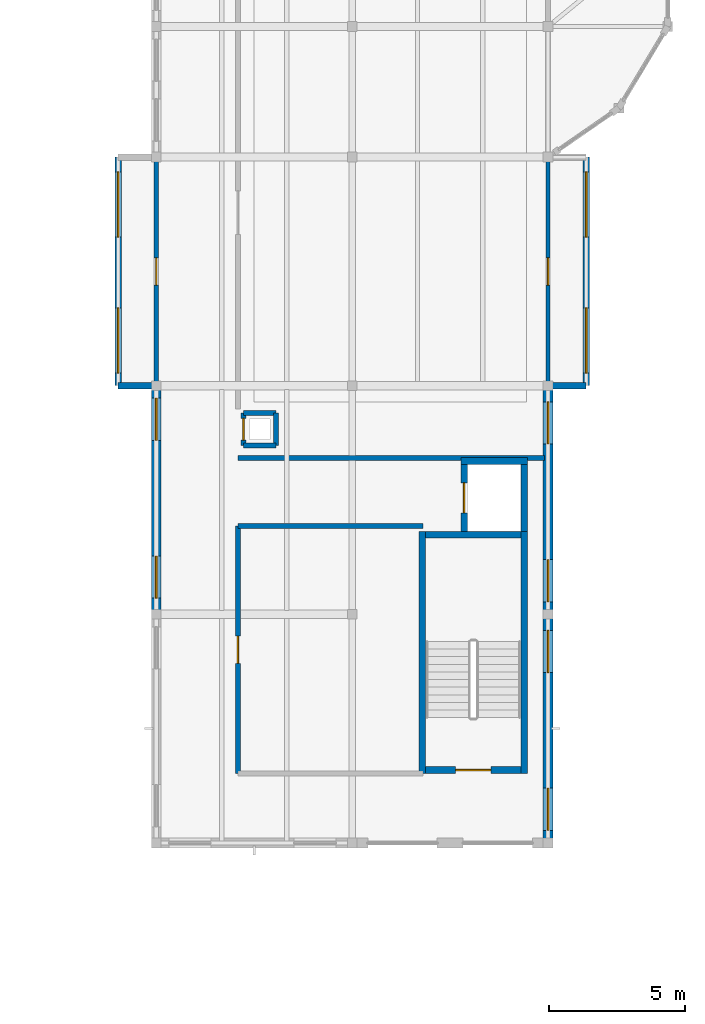
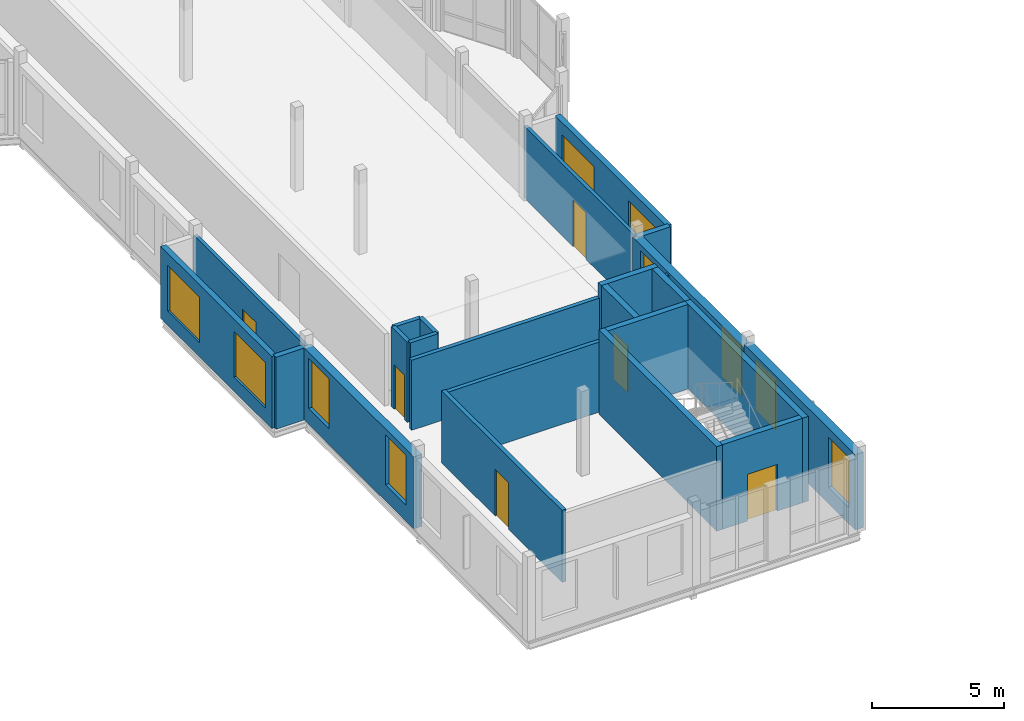
# One storey, part 26 of 34: 23 walls, 10 windows, 6 doors, 16 openings.
"""IFC4 building model written with IfcOpenShell, lengths in metres."""

import ifcopenshell
import ifcopenshell.guid

model = None  # the IFC model being written
_history = None  # IfcOwnerHistory: only IFC2X3 demands one
_inside = {}  # id of a spatial element -> (the spatial element, [elements in it])
_under = {}  # id of a project, library or spatial element -> (it, [spatial elements below it])
_declared = {}  # id of a project -> (the project, [libraries it declares])
_typed = {}  # id of a type object -> (the type object, [elements of that type])
_made_of = {}  # id of a material, layer set ... -> (it, [elements and type objects made of it])


def new_model(schema):
    """Start an empty IFC model of exactly this schema.

    Asked for "IFC4X3", IfcOpenShell would pick the latest addendum, in which some entities
    have other attributes; the version numbers below select the first issue.
    IFC2X3 requires an IfcOwnerHistory on every rooted entity: one is made here for all.
    """
    global model, _history
    if schema == "IFC4X3":
        model = ifcopenshell.file(schema_version=(4, 3, 0, 0))
    else:
        model = ifcopenshell.file(schema=schema)
    _inside.clear()
    _under.clear()
    _declared.clear()
    _typed.clear()
    _made_of.clear()
    _history = None
    if model.schema == "IFC2X3":
        org = make("IfcOrganization", Name="unknown")
        user = make(
            "IfcPersonAndOrganization",
            ThePerson=make("IfcPerson", FamilyName="unknown"),
            TheOrganization=org,
        )
        app = make(
            "IfcApplication",
            ApplicationDeveloper=org,
            Version="unknown",
            ApplicationFullName="unknown",
            ApplicationIdentifier="unknown",
        )
        _history = make(
            "IfcOwnerHistory",
            OwningUser=user,
            OwningApplication=app,
            ChangeAction="ADDED",
            CreationDate=0,
        )
    return model


def make(cls, **values):
    """One entity of the class cls with the attributes given. An attribute that is None is left unset."""
    return model.create_entity(
        cls, **{name: value for name, value in values.items() if value is not None}
    )


def rooted(cls, **values):
    """An entity with a GlobalId (a new one), such as an element, a storey or a relation."""
    return make(cls, GlobalId=ifcopenshell.guid.new(), OwnerHistory=_history, **values)


def si_unit(unit_type, name, prefix=None):
    """IfcSIUnit, for example si_unit("LENGTHUNIT", "METRE", prefix="MILLI")."""
    return make("IfcSIUnit", UnitType=unit_type, Prefix=prefix, Name=name)


def assignment(units):
    """IfcUnitAssignment: the units of a project."""
    return None if units is None else make("IfcUnitAssignment", Units=units)


def point(xyz):
    """IfcCartesianPoint."""
    return None if xyz is None else make("IfcCartesianPoint", Coordinates=xyz)


def direction(xyz):
    """IfcDirection."""
    return None if xyz is None else make("IfcDirection", DirectionRatios=xyz)


def frame(location, z_axis=None, x_axis=None):
    """IfcAxis2Placement3D, a coordinate frame: its origin and axes. An axis left out is left unset."""
    return make(
        "IfcAxis2Placement3D",
        Location=point(location),
        Axis=direction(z_axis),
        RefDirection=direction(x_axis),
    )


def frame_2d(location, x_axis=None):
    """IfcAxis2Placement2D, a coordinate frame in the plane: its origin and x axis."""
    return make(
        "IfcAxis2Placement2D", Location=point(location), RefDirection=direction(x_axis)
    )


def origin():
    """The frame at (0, 0, 0) with its axes left unset."""
    return frame((0.0, 0.0, 0.0))


def place(relative_to, where):
    """IfcLocalPlacement: puts the frame where relative to a parent placement (None: the world)."""
    return make(
        "IfcLocalPlacement", PlacementRelTo=relative_to, RelativePlacement=where
    )


def context(
    kind, dimensions, precision=None, world=None, true_north=None, identifier=None
):
    """IfcGeometricRepresentationContext, for example the 3D "Model" context."""
    return make(
        "IfcGeometricRepresentationContext",
        ContextIdentifier=identifier,
        ContextType=kind,
        CoordinateSpaceDimension=dimensions,
        Precision=precision,
        WorldCoordinateSystem=world,
        TrueNorth=true_north,
    )


def subcontext(parent, identifier, kind, view, scale=None):
    """IfcGeometricRepresentationSubContext, for example "Body" below "Model"."""
    return make(
        "IfcGeometricRepresentationSubContext",
        ContextIdentifier=identifier,
        ContextType=kind,
        ParentContext=parent,
        TargetScale=scale,
        TargetView=view,
    )


def project(units=None, contexts=None):
    """IfcProject with its units and contexts."""
    return rooted(
        "IfcProject",
        Name="project",
        RepresentationContexts=contexts,
        UnitsInContext=assignment(units),
    )


def spatial(cls, under=None, at=None, **own):
    """A site, building, storey or space (cls), placed at a placement, below another one or the project."""
    s = rooted(cls, ObjectPlacement=at, **own)
    if under is not None:
        _under.setdefault(under.id(), (under, []))[1].append(s)
    return s


def profile(cls, at=None, kind="AREA", **sizes):
    """A parametric profile (cls). Its sizes go by their IFC names, for example OverallWidth=200.0."""
    return make(cls, ProfileType=kind, Position=at, **sizes)


def rectangle(**sizes):
    """IfcRectangleProfileDef."""
    return profile("IfcRectangleProfileDef", **sizes)


def extrude(swept, where, along, depth):
    """IfcExtrudedAreaSolid: the profile swept, set in the frame where, extruded along a direction by depth."""
    return make(
        "IfcExtrudedAreaSolid",
        SweptArea=swept,
        Position=where,
        ExtrudedDirection=direction(along),
        Depth=depth,
    )


def shape(context_of_items, identifier, shape_type, items):
    """IfcShapeRepresentation: the items that make up one representation, for example the "Body"."""
    return make(
        "IfcShapeRepresentation",
        ContextOfItems=context_of_items,
        RepresentationIdentifier=identifier,
        RepresentationType=shape_type,
        Items=items,
    )


def material(Name=None, Category=None):
    """IfcMaterial."""
    return make("IfcMaterial", Name=Name, Category=Category)


def layer(
    of_material, thickness, ventilated=None, Name=None, Category=None, Priority=None
):
    """IfcMaterialLayer: one layer of a wall or slab, of a material (None: an air gap)."""
    return make(
        "IfcMaterialLayer",
        Material=of_material,
        LayerThickness=thickness,
        IsVentilated=ventilated,
        Name=Name,
        Category=Category,
        Priority=Priority,
    )


def layer_set(layers, Name=None):
    """IfcMaterialLayerSet."""
    return make("IfcMaterialLayerSet", MaterialLayers=layers, LayerSetName=Name)


def made_of(thing, what):
    """Note that an element or type object is made of a material, layer set ...; save() writes the relation."""
    if what is not None:
        _made_of.setdefault(what.id(), (what, []))[1].append(thing)
    return thing


def type_object(cls, material=None, **own):
    """A type object (cls), such as IfcWallType, which elements share."""
    return made_of(rooted(cls, **own), material)


def element(
    cls,
    number,
    at=None,
    inside=None,
    cuts=None,
    type_object=None,
    material=None,
    context=None,
    identifier="Body",
    shape_type=None,
    held_by="IfcProductDefinitionShape",
    body=None,
    shapes=None,
    **own,
):
    """One element of the class cls, such as IfcWall. Its Tag is "e" and its number.

    at: its placement. inside: the storey or other place that contains it. cuts: it is an
    opening in that element (IfcRelVoidsElement). A single representation is given by context,
    identifier, shape_type and body (its items); several are given by shapes. held_by: the class
    of the entity that holds the representations. save() writes the other relations.
    """
    e = rooted(cls, Tag="e%d" % number, ObjectPlacement=at, **own)
    if body is not None:
        shapes = [shape(context, identifier, shape_type, body)]
    if shapes is not None:
        e.Representation = make(held_by, Representations=shapes)
    if inside is not None:
        _inside.setdefault(inside.id(), (inside, []))[1].append(e)
    if cuts is not None:
        rooted(
            "IfcRelVoidsElement", RelatingBuildingElement=cuts, RelatedOpeningElement=e
        )
    if type_object is not None:
        _typed.setdefault(type_object.id(), (type_object, []))[1].append(e)
    return made_of(e, material)


def fill(opening, filler):
    """IfcRelFillsElement: the door or window that sits in an opening."""
    return rooted(
        "IfcRelFillsElement",
        RelatingOpeningElement=opening,
        RelatedBuildingElement=filler,
    )


def aggregate(whole, parts):
    """IfcRelAggregates: a whole, such as a stair, and the parts it consists of."""
    return rooted("IfcRelAggregates", RelatingObject=whole, RelatedObjects=parts)


def save(model, path):
    """Write the relations noted so far, then the file.

    IfcRelAggregates (storeys below a building ...), IfcRelContainedInSpatialStructure (elements
    in a storey), IfcRelDefinesByType, IfcRelAssociatesMaterial and IfcRelDeclares: one each for
    every whole, place, type object, material and project.
    """
    for whole, parts in _under.values():
        aggregate(whole, parts)
    for where, things in _inside.values():
        rooted(
            "IfcRelContainedInSpatialStructure",
            RelatedElements=things,
            RelatingStructure=where,
        )
    for kind, things in _typed.values():
        rooted("IfcRelDefinesByType", RelatedObjects=things, RelatingType=kind)
    for what, things in _made_of.values():
        rooted("IfcRelAssociatesMaterial", RelatedObjects=things, RelatingMaterial=what)
    for by, libraries in _declared.values():
        rooted("IfcRelDeclares", RelatingContext=by, RelatedDefinitions=libraries)
    model.write(path)


model = new_model("IFC4")

# Units and contexts
model_context = context("Model", 3, precision=1e-05, world=origin(), true_north=direction((0.0, 1.0)))
body_context = subcontext(model_context, "Body", "Model", "MODEL_VIEW")
ifc_project = project(units=[si_unit("LENGTHUNIT", "METRE"), si_unit("AREAUNIT", "SQUARE_METRE"), si_unit("VOLUMEUNIT", "CUBIC_METRE"), si_unit("PLANEANGLEUNIT", "RADIAN"), si_unit("MASSUNIT", "GRAM", prefix="KILO")], contexts=[model_context])

# Site, building, storey
site_placement = place(None, origin())
site = spatial("IfcSite", under=ifc_project, at=site_placement, CompositionType="ELEMENT")
building_placement = place(site_placement, origin())
building = spatial("IfcBuilding", under=site, at=building_placement, Name="Kahlenmark Community Centre", CompositionType="ELEMENT")
storey_placement = place(building_placement, frame((0.0, 0.0, 17.699951171875)))
storey = spatial("IfcBuildingStorey", under=building, at=storey_placement, Name="L04", CompositionType="ELEMENT", Elevation=17.699951171875)

# Wall, opening, door
ifc_material_1 = material(Name="Concrete C35/45", Category="concrete")
ifc_layer_1 = layer(ifc_material_1, 0.25)
ifc_layer_set_1 = layer_set([ifc_layer_1], Name="Concrete C35/45")
wall_type_1 = type_object("IfcWallType", Name="WT-CORE-250", PredefinedType="SHEAR", material=ifc_layer_set_1)
wall_1_placement = place(storey_placement, frame((82.300048828125, 53.47509765625, 0.0), z_axis=(0.0, 0.0, 1.0), x_axis=(1.0, 0.0, 0.0)))
wall_1 = element("IfcWall", 1, at=wall_1_placement, inside=storey, type_object=wall_type_1, Name="Core K6 shear wall WL-CORE-K6-L04-0232", PredefinedType="SHEAR", context=body_context, shape_type="SweptSolid", body=[
    extrude(rectangle(XDim=3.5, YDim=0.25, at=frame_2d((1.75, 0.0))), origin(), (0.0, 0.0, 1.0), 3.900146484375),
])
opening_1_placement = place(wall_1_placement, frame((1.10009765625, 0.0, -0.010009765625)))
opening_1 = element("IfcOpeningElement", 2, at=opening_1_placement, cuts=wall_1, Name="Opening FD-K6-L04", PredefinedType="OPENING", context=body_context, shape_type="SweptSolid", body=[
    extrude(rectangle(XDim=1.300048828125, YDim=2.159912109375, at=frame_2d((0.64990234375, 1.080078125))), frame((0.0, 0.135009765625, 0.0), z_axis=(0.0, -1.0, 0.0), x_axis=(1.0, 0.0, 0.0)), (0.0, 0.0, 1.0), 0.27001953125),
])
ifc_material_2 = material(Name="Fire-rated steel-framed timber door FD60S", Category="steel")
door_type_1 = type_object("IfcDoorType", Name="DT-FD-K6-L04", OperationType="NOTDEFINED", PredefinedType="DOOR", material=ifc_material_2)
door_1_placement = place(opening_1_placement, frame((0.0, 0.0, 0.010009765625)))
door_1 = element("IfcDoor", 3, at=door_1_placement, inside=storey, type_object=door_type_1, Name="Core K6 stair fire door L04", OperationType="SINGLE_SWING_RIGHT", OverallHeight=2.14990234375, OverallWidth=1.300048828125, PredefinedType="DOOR", context=body_context, shape_type="SweptSolid", body=[
    extrude(rectangle(XDim=1.300048828125, YDim=2.14990234375, at=frame_2d((0.64990234375, 1.074951171875))), frame((0.0, 0.02490234375, 0.0), z_axis=(0.0, -1.0, 0.0), x_axis=(1.0, 0.0, 0.0)), (0.0, 0.0, 1.0), 0.050048828125),
])
fill(opening_1, door_1)

# Walls
wall_2_placement = place(storey_placement, frame((82.175048828125, 53.35009765625, 0.0), z_axis=(0.0, 0.0, 1.0), x_axis=(0.0, 1.0, 0.0)))
element("IfcWall", 4, at=wall_2_placement, inside=storey, type_object=wall_type_1, Name="Core K6 shear wall WL-CORE-K6-L04-0233", PredefinedType="SHEAR", context=body_context, shape_type="SweptSolid", body=[
    extrude(rectangle(XDim=8.89990234375, YDim=0.25, at=frame_2d((4.449951171875, 0.0))), origin(), (0.0, 0.0, 1.0), 3.900146484375),
])
wall_3_placement = place(storey_placement, frame((85.800048828125, 62.125, 0.0), z_axis=(0.0, 0.0, 1.0), x_axis=(-1.0, 0.0, 0.0)))
element("IfcWall", 5, at=wall_3_placement, inside=storey, type_object=wall_type_1, Name="Core K6 shear wall WL-CORE-K6-L04-0234", PredefinedType="SHEAR", context=body_context, shape_type="SweptSolid", body=[
    extrude(rectangle(XDim=3.5, YDim=0.25, at=frame_2d((1.75, 0.0))), origin(), (0.0, 0.0, 1.0), 3.900146484375),
])
wall_4_placement = place(storey_placement, frame((85.925048828125, 53.35009765625, 0.0), z_axis=(0.0, 0.0, 1.0), x_axis=(0.0, 1.0, 0.0)))
element("IfcWall", 6, at=wall_4_placement, inside=storey, type_object=wall_type_1, Name="Core K6 shear wall WL-CORE-K6-L04-0235", PredefinedType="SHEAR", context=body_context, shape_type="SweptSolid", body=[
    extrude(rectangle(XDim=8.89990234375, YDim=0.25, at=frame_2d((4.449951171875, 0.0))), origin(), (0.0, 0.0, 1.0), 3.900146484375),
])
wall_5_placement = place(storey_placement, frame((83.590087890625, 64.8349609375, 0.0), z_axis=(0.0, 0.0, 1.0), x_axis=(1.0, 0.0, 0.0)))
element("IfcWall", 7, at=wall_5_placement, inside=storey, type_object=wall_type_1, Name="Core K6 shear wall WL-CORE-K6-L04-0236", PredefinedType="SHEAR", context=body_context, shape_type="SweptSolid", body=[
    extrude(rectangle(XDim=2.4599609375, YDim=0.25, at=frame_2d((1.22998046875, 0.0))), origin(), (0.0, 0.0, 1.0), 3.900146484375),
])

# Wall, opening, door
wall_6_placement = place(storey_placement, frame((83.715087890625, 62.25, 0.0), z_axis=(0.0, 0.0, 1.0), x_axis=(0.0, 1.0, 0.0)))
wall_6 = element("IfcWall", 8, at=wall_6_placement, inside=storey, type_object=wall_type_1, Name="Core K6 shear wall WL-CORE-K6-L04-0237", PredefinedType="SHEAR", context=body_context, shape_type="SweptSolid", body=[
    extrude(rectangle(XDim=2.4599609375, YDim=0.25, at=frame_2d((1.22998046875, 0.0))), origin(), (0.0, 0.0, 1.0), 3.900146484375),
])
opening_2_placement = place(wall_6_placement, frame((0.679931640625, 0.0, -0.010009765625)))
opening_2 = element("IfcOpeningElement", 9, at=opening_2_placement, cuts=wall_6, Name="Opening LD-6", PredefinedType="OPENING", context=body_context, shape_type="SweptSolid", body=[
    extrude(rectangle(XDim=1.10009765625, YDim=2.159912109375, at=frame_2d((0.550048828125, 1.080078125))), frame((0.0, 0.135009765625, 0.0), z_axis=(0.0, -1.0, 0.0), x_axis=(1.0, 0.0, 0.0)), (0.0, 0.0, 1.0), 0.27001953125),
])
ifc_material_3 = material(Name="Brushed stainless steel sliding lift landing door", Category="steel")
door_type_2 = type_object("IfcDoorType", Name="DT-LD-K6", OperationType="SLIDING_TO_LEFT", PredefinedType="DOOR", material=ifc_material_3)
door_2_placement = place(opening_2_placement, frame((0.0, 0.0, 0.010009765625)))
door_2 = element("IfcDoor", 10, at=door_2_placement, inside=storey, type_object=door_type_2, Name="Lift LF-06 sliding landing door L04", OperationType="SLIDING_TO_LEFT", OverallHeight=2.14990234375, OverallWidth=1.10009765625, PredefinedType="DOOR", context=body_context, shape_type="SweptSolid", body=[
    extrude(rectangle(XDim=1.10009765625, YDim=2.14990234375, at=frame_2d((0.550048828125, 1.074951171875))), frame((0.0, 0.02490234375, 0.0), z_axis=(0.0, -1.0, 0.0), x_axis=(1.0, 0.0, 0.0)), (0.0, 0.0, 1.0), 0.050048828125),
])
fill(opening_2, door_2)

# Walls
wall_7_placement = place(storey_placement, frame((85.925048828125, 62.25, 0.0), z_axis=(0.0, 0.0, 1.0), x_axis=(0.0, 1.0, 0.0)))
element("IfcWall", 11, at=wall_7_placement, inside=storey, type_object=wall_type_1, Name="Core K6 shear wall WL-CORE-K6-L04-0238", PredefinedType="SHEAR", context=body_context, shape_type="SweptSolid", body=[
    extrude(rectangle(XDim=2.7099609375, YDim=0.25, at=frame_2d((1.35498046875, 0.0))), origin(), (0.0, 0.0, 1.0), 3.900146484375),
])
ifc_material_4 = material(Name="Cross-laminated timber CLT C24", Category="wood")
ifc_layer_2 = layer(ifc_material_4, 0.239990234375)
ifc_layer_set_2 = layer_set([ifc_layer_2], Name="Cross-laminated timber CLT C24")
wall_type_2 = type_object("IfcWallType", Name="WT-EW-240", PredefinedType="SOLIDWALL", material=ifc_layer_set_2)
wall_8_placement = place(storey_placement, frame((86.800048828125, 67.60009765625, 0.0), z_axis=(0.0, 0.0, 1.0), x_axis=(1.0, 0.0, 0.0)))
element("IfcWall", 12, at=wall_8_placement, inside=storey, type_object=wall_type_2, Name="Bay oriel wall WL-ORI-L04-0817", PredefinedType="SOLIDWALL", context=body_context, shape_type="SweptSolid", body=[
    extrude(rectangle(XDim=1.39990234375, YDim=0.239990234375, at=frame_2d((0.699951171875, 0.0))), origin(), (0.0, 0.0, 1.0), 3.320068359375),
])

# Wall, openings, windows
wall_9_placement = place(storey_placement, frame((88.199951171875, 67.60009765625, 0.0), z_axis=(0.0, 0.0, 1.0), x_axis=(0.0, 1.0, 0.0)))
wall_9 = element("IfcWall", 13, at=wall_9_placement, inside=storey, type_object=wall_type_2, Name="Bay oriel wall WL-ORI-L04-0818", PredefinedType="SOLIDWALL", context=body_context, shape_type="SweptSolid", body=[
    extrude(rectangle(XDim=8.39990234375, YDim=0.239990234375, at=frame_2d((4.199951171875, 0.0))), origin(), (0.0, 0.0, 1.0), 3.320068359375),
])
opening_3_placement = place(wall_9_placement, frame((0.4599609375, 0.0, 0.64990234375)))
opening_3 = element("IfcOpeningElement", 14, at=opening_3_placement, cuts=wall_9, Name="Opening W-240X210", PredefinedType="OPENING", context=body_context, shape_type="SweptSolid", body=[
    extrude(rectangle(XDim=2.39990234375, YDim=2.10009765625, at=frame_2d((1.199951171875, 1.050048828125))), frame((0.0, 0.1298828125, 0.0), z_axis=(0.0, -1.0, 0.0), x_axis=(1.0, 0.0, 0.0)), (0.0, 0.0, 1.0), 0.260009765625),
])
opening_4_placement = place(wall_9_placement, frame((5.4599609375, 0.0, 0.64990234375)))
opening_4 = element("IfcOpeningElement", 15, at=opening_4_placement, cuts=wall_9, Name="Opening W-240X210", PredefinedType="OPENING", context=body_context, shape_type="SweptSolid", body=[
    extrude(rectangle(XDim=2.39990234375, YDim=2.10009765625, at=frame_2d((1.199951171875, 1.050048828125))), frame((0.0, 0.1298828125, 0.0), z_axis=(0.0, -1.0, 0.0), x_axis=(1.0, 0.0, 0.0)), (0.0, 0.0, 1.0), 0.260009765625),
])
ifc_material_5 = material(Name="Triple low-e insulated glazing in timber-aluminium frame", Category="wood")
window_type_1 = type_object("IfcWindowType", Name="WNT-240X210", PartitioningType="TRIPLE_PANEL_VERTICAL", PredefinedType="WINDOW", material=ifc_material_5)
window_1_placement = place(opening_3_placement, origin())
window_1 = element("IfcWindow", 16, at=window_1_placement, inside=storey, type_object=window_type_1, Name="Window W-240X210 #0509", OverallHeight=2.10009765625, OverallWidth=2.39990234375, PartitioningType="TRIPLE_PANEL_VERTICAL", PredefinedType="WINDOW", context=body_context, shape_type="SweptSolid", body=[
    extrude(rectangle(XDim=2.39990234375, YDim=2.10009765625, at=frame_2d((1.199951171875, 1.050048828125))), frame((0.0, 0.030029296875, 0.0), z_axis=(0.0, -1.0, 0.0), x_axis=(1.0, 0.0, 0.0)), (0.0, 0.0, 1.0), 0.06005859375),
])
fill(opening_3, window_1)
window_2_placement = place(opening_4_placement, origin())
window_2 = element("IfcWindow", 17, at=window_2_placement, inside=storey, type_object=window_type_1, Name="Window W-240X210 #0510", OverallHeight=2.10009765625, OverallWidth=2.39990234375, PartitioningType="TRIPLE_PANEL_VERTICAL", PredefinedType="WINDOW", context=body_context, shape_type="SweptSolid", body=[
    extrude(rectangle(XDim=2.39990234375, YDim=2.10009765625, at=frame_2d((1.199951171875, 1.050048828125))), frame((0.0, 0.030029296875, 0.0), z_axis=(0.0, -1.0, 0.0), x_axis=(1.0, 0.0, 0.0)), (0.0, 0.0, 1.0), 0.06005859375),
])
fill(opening_4, window_2)

# Wall
wall_10_placement = place(storey_placement, frame((72.25, 67.60009765625, 0.0), z_axis=(0.0, 0.0, 1.0), x_axis=(-1.0, 0.0, 0.0)))
element("IfcWall", 18, at=wall_10_placement, inside=storey, type_object=wall_type_2, Name="Bay oriel wall WL-ORI-L04-0853", PredefinedType="SOLIDWALL", context=body_context, shape_type="SweptSolid", body=[
    extrude(rectangle(XDim=1.25, YDim=0.239990234375, at=frame_2d((0.625, 0.0))), origin(), (0.0, 0.0, 1.0), 3.320068359375),
])

# Wall, openings, windows
wall_11_placement = place(storey_placement, frame((71.0, 67.60009765625, 0.0), z_axis=(0.0, 0.0, 1.0), x_axis=(0.0, 1.0, 0.0)))
wall_11 = element("IfcWall", 19, at=wall_11_placement, inside=storey, type_object=wall_type_2, Name="Bay oriel wall WL-ORI-L04-0854", PredefinedType="SOLIDWALL", context=body_context, shape_type="SweptSolid", body=[
    extrude(rectangle(XDim=8.39990234375, YDim=0.239990234375, at=frame_2d((4.199951171875, 0.0))), origin(), (0.0, 0.0, 1.0), 3.320068359375),
])
opening_5_placement = place(wall_11_placement, frame((0.4599609375, 0.0, 0.64990234375)))
opening_5 = element("IfcOpeningElement", 20, at=opening_5_placement, cuts=wall_11, Name="Opening W-240X210", PredefinedType="OPENING", context=body_context, shape_type="SweptSolid", body=[
    extrude(rectangle(XDim=2.39990234375, YDim=2.10009765625, at=frame_2d((1.199951171875, 1.050048828125))), frame((0.0, 0.1298828125, 0.0), z_axis=(0.0, -1.0, 0.0), x_axis=(1.0, 0.0, 0.0)), (0.0, 0.0, 1.0), 0.260009765625),
])
opening_6_placement = place(wall_11_placement, frame((5.4599609375, 0.0, 0.64990234375)))
opening_6 = element("IfcOpeningElement", 21, at=opening_6_placement, cuts=wall_11, Name="Opening W-240X210", PredefinedType="OPENING", context=body_context, shape_type="SweptSolid", body=[
    extrude(rectangle(XDim=2.39990234375, YDim=2.10009765625, at=frame_2d((1.199951171875, 1.050048828125))), frame((0.0, 0.1298828125, 0.0), z_axis=(0.0, -1.0, 0.0), x_axis=(1.0, 0.0, 0.0)), (0.0, 0.0, 1.0), 0.260009765625),
])
window_3_placement = place(opening_5_placement, origin())
window_3 = element("IfcWindow", 22, at=window_3_placement, inside=storey, type_object=window_type_1, Name="Window W-240X210 #0533", OverallHeight=2.10009765625, OverallWidth=2.39990234375, PartitioningType="TRIPLE_PANEL_VERTICAL", PredefinedType="WINDOW", context=body_context, shape_type="SweptSolid", body=[
    extrude(rectangle(XDim=2.39990234375, YDim=2.10009765625, at=frame_2d((1.199951171875, 1.050048828125))), frame((0.0, 0.030029296875, 0.0), z_axis=(0.0, -1.0, 0.0), x_axis=(1.0, 0.0, 0.0)), (0.0, 0.0, 1.0), 0.06005859375),
])
fill(opening_5, window_3)
window_4_placement = place(opening_6_placement, origin())
window_4 = element("IfcWindow", 23, at=window_4_placement, inside=storey, type_object=window_type_1, Name="Window W-240X210 #0534", OverallHeight=2.10009765625, OverallWidth=2.39990234375, PartitioningType="TRIPLE_PANEL_VERTICAL", PredefinedType="WINDOW", context=body_context, shape_type="SweptSolid", body=[
    extrude(rectangle(XDim=2.39990234375, YDim=2.10009765625, at=frame_2d((1.199951171875, 1.050048828125))), frame((0.0, 0.030029296875, 0.0), z_axis=(0.0, -1.0, 0.0), x_axis=(1.0, 0.0, 0.0)), (0.0, 0.0, 1.0), 0.06005859375),
])
fill(opening_6, window_4)

ifc_material_6 = material(Name="Danube limestone masonry", Category="masonry")
ifc_layer_3 = layer(ifc_material_6, 0.360107421875)
ifc_layer_set_3 = layer_set([ifc_layer_3], Name="Danube limestone masonry")
wall_type_3 = type_object("IfcWallType", Name="WT-EW-360", PredefinedType="SOLIDWALL", material=ifc_layer_set_3)
wall_12_placement = place(storey_placement, frame((72.39990234375, 67.60009765625, 0.0), z_axis=(0.0, 0.0, 1.0), x_axis=(0.0, -1.0, 0.0)))
wall_12 = element("IfcWall", 24, at=wall_12_placement, inside=storey, type_object=wall_type_3, Name="Exterior wall WL-EXT-L04-0661", PredefinedType="SOLIDWALL", context=body_context, shape_type="SweptSolid", body=[
    extrude(rectangle(XDim=8.400146484375, YDim=0.360107421875, at=frame_2d((4.2001953125, 0.0))), origin(), (0.0, 0.0, 1.0), 3.320068359375),
])
opening_7_placement = place(wall_12_placement, frame((0.4599609375, 0.0, 0.75)))
opening_7 = element("IfcOpeningElement", 25, at=opening_7_placement, cuts=wall_12, Name="Opening W-155X230", PredefinedType="OPENING", context=body_context, shape_type="SweptSolid", body=[
    extrude(rectangle(XDim=1.550048828125, YDim=2.300048828125, at=frame_2d((0.77490234375, 1.14990234375))), frame((0.0, 0.18994140625, 0.0), z_axis=(0.0, -1.0, 0.0), x_axis=(1.0, 0.0, 0.0)), (0.0, 0.0, 1.0), 0.380126953125),
])
opening_8_placement = place(wall_12_placement, frame((6.260009765625, 0.0, 0.75)))
opening_8 = element("IfcOpeningElement", 26, at=opening_8_placement, cuts=wall_12, Name="Opening W-155X230", PredefinedType="OPENING", context=body_context, shape_type="SweptSolid", body=[
    extrude(rectangle(XDim=1.550048828125, YDim=2.300048828125, at=frame_2d((0.77490234375, 1.14990234375))), frame((0.0, 0.18994140625, 0.0), z_axis=(0.0, -1.0, 0.0), x_axis=(1.0, 0.0, 0.0)), (0.0, 0.0, 1.0), 0.380126953125),
])
ifc_material_7 = material(Name="Deep-reveal limestone punched triple glazing", Category="masonry")
window_type_2 = type_object("IfcWindowType", Name="WNT-155X230", PartitioningType="DOUBLE_PANEL_HORIZONTAL", PredefinedType="WINDOW", material=ifc_material_7)
window_5_placement = place(opening_7_placement, origin())
window_5 = element("IfcWindow", 27, at=window_5_placement, inside=storey, type_object=window_type_2, Name="Window W-155X230 #0435", OverallHeight=2.300048828125, OverallWidth=1.550048828125, PartitioningType="DOUBLE_PANEL_HORIZONTAL", PredefinedType="WINDOW", context=body_context, shape_type="SweptSolid", body=[
    extrude(rectangle(XDim=1.550048828125, YDim=2.300048828125, at=frame_2d((0.77490234375, 1.14990234375))), frame((0.0, 0.030029296875, 0.0), z_axis=(0.0, -1.0, 0.0), x_axis=(1.0, 0.0, 0.0)), (0.0, 0.0, 1.0), 0.06005859375),
])
fill(opening_7, window_5)
window_6_placement = place(opening_8_placement, origin())
window_6 = element("IfcWindow", 28, at=window_6_placement, inside=storey, type_object=window_type_2, Name="Window W-155X230 #0436", OverallHeight=2.300048828125, OverallWidth=1.550048828125, PartitioningType="DOUBLE_PANEL_HORIZONTAL", PredefinedType="WINDOW", context=body_context, shape_type="SweptSolid", body=[
    extrude(rectangle(XDim=1.550048828125, YDim=2.300048828125, at=frame_2d((0.77490234375, 1.14990234375))), frame((0.0, 0.030029296875, 0.0), z_axis=(0.0, -1.0, 0.0), x_axis=(1.0, 0.0, 0.0)), (0.0, 0.0, 1.0), 0.06005859375),
])
fill(opening_8, window_6)

wall_13_placement = place(storey_placement, frame((86.800048828125, 50.800048828125, 0.0), z_axis=(0.0, 0.0, 1.0), x_axis=(0.0, 1.0, 0.0)))
wall_13 = element("IfcWall", 29, at=wall_13_placement, inside=storey, type_object=wall_type_3, Name="Exterior wall WL-EXT-L04-0664", PredefinedType="SOLIDWALL", context=body_context, shape_type="SweptSolid", body=[
    extrude(rectangle(XDim=8.39990234375, YDim=0.360107421875, at=frame_2d((4.199951171875, 0.0))), origin(), (0.0, 0.0, 1.0), 3.469970703125),
])
opening_9_placement = place(wall_13_placement, frame((0.4599609375, 0.0, 0.75)))
opening_9 = element("IfcOpeningElement", 30, at=opening_9_placement, cuts=wall_13, Name="Opening W-155X230", PredefinedType="OPENING", context=body_context, shape_type="SweptSolid", body=[
    extrude(rectangle(XDim=1.550048828125, YDim=2.300048828125, at=frame_2d((0.77490234375, 1.14990234375))), frame((0.0, 0.18994140625, 0.0), z_axis=(0.0, -1.0, 0.0), x_axis=(1.0, 0.0, 0.0)), (0.0, 0.0, 1.0), 0.380126953125),
])
opening_10_placement = place(wall_13_placement, frame((6.260009765625, 0.0, 0.75)))
opening_10 = element("IfcOpeningElement", 31, at=opening_10_placement, cuts=wall_13, Name="Opening W-155X230", PredefinedType="OPENING", context=body_context, shape_type="SweptSolid", body=[
    extrude(rectangle(XDim=1.550048828125, YDim=2.300048828125, at=frame_2d((0.77490234375, 1.14990234375))), frame((0.0, 0.18994140625, 0.0), z_axis=(0.0, -1.0, 0.0), x_axis=(1.0, 0.0, 0.0)), (0.0, 0.0, 1.0), 0.380126953125),
])
window_7_placement = place(opening_9_placement, origin())
window_7 = element("IfcWindow", 32, at=window_7_placement, inside=storey, type_object=window_type_2, Name="Window W-155X230 #0441", OverallHeight=2.300048828125, OverallWidth=1.550048828125, PartitioningType="DOUBLE_PANEL_HORIZONTAL", PredefinedType="WINDOW", context=body_context, shape_type="SweptSolid", body=[
    extrude(rectangle(XDim=1.550048828125, YDim=2.300048828125, at=frame_2d((0.77490234375, 1.14990234375))), frame((0.0, 0.030029296875, 0.0), z_axis=(0.0, -1.0, 0.0), x_axis=(1.0, 0.0, 0.0)), (0.0, 0.0, 1.0), 0.06005859375),
])
fill(opening_9, window_7)
window_8_placement = place(opening_10_placement, origin())
window_8 = element("IfcWindow", 33, at=window_8_placement, inside=storey, type_object=window_type_2, Name="Window W-155X230 #0442", OverallHeight=2.300048828125, OverallWidth=1.550048828125, PartitioningType="DOUBLE_PANEL_HORIZONTAL", PredefinedType="WINDOW", context=body_context, shape_type="SweptSolid", body=[
    extrude(rectangle(XDim=1.550048828125, YDim=2.300048828125, at=frame_2d((0.77490234375, 1.14990234375))), frame((0.0, 0.030029296875, 0.0), z_axis=(0.0, -1.0, 0.0), x_axis=(1.0, 0.0, 0.0)), (0.0, 0.0, 1.0), 0.06005859375),
])
fill(opening_10, window_8)

wall_14_placement = place(storey_placement, frame((86.800048828125, 59.199951171875, 0.0), z_axis=(0.0, 0.0, 1.0), x_axis=(0.0, 1.0, 0.0)))
wall_14 = element("IfcWall", 34, at=wall_14_placement, inside=storey, type_object=wall_type_3, Name="Exterior wall WL-EXT-L04-0665", PredefinedType="SOLIDWALL", context=body_context, shape_type="SweptSolid", body=[
    extrude(rectangle(XDim=8.400146484375, YDim=0.360107421875, at=frame_2d((4.2001953125, 0.0))), origin(), (0.0, 0.0, 1.0), 3.320068359375),
])
opening_11_placement = place(wall_14_placement, frame((0.4599609375, 0.0, 0.75)))
opening_11 = element("IfcOpeningElement", 35, at=opening_11_placement, cuts=wall_14, Name="Opening W-155X230", PredefinedType="OPENING", context=body_context, shape_type="SweptSolid", body=[
    extrude(rectangle(XDim=1.550048828125, YDim=2.300048828125, at=frame_2d((0.77490234375, 1.14990234375))), frame((0.0, 0.18994140625, 0.0), z_axis=(0.0, -1.0, 0.0), x_axis=(1.0, 0.0, 0.0)), (0.0, 0.0, 1.0), 0.380126953125),
])
opening_12_placement = place(wall_14_placement, frame((6.260009765625, 0.0, 0.75)))
opening_12 = element("IfcOpeningElement", 36, at=opening_12_placement, cuts=wall_14, Name="Opening W-155X230", PredefinedType="OPENING", context=body_context, shape_type="SweptSolid", body=[
    extrude(rectangle(XDim=1.550048828125, YDim=2.300048828125, at=frame_2d((0.77490234375, 1.14990234375))), frame((0.0, 0.18994140625, 0.0), z_axis=(0.0, -1.0, 0.0), x_axis=(1.0, 0.0, 0.0)), (0.0, 0.0, 1.0), 0.380126953125),
])
window_9_placement = place(opening_11_placement, origin())
window_9 = element("IfcWindow", 37, at=window_9_placement, inside=storey, type_object=window_type_2, Name="Window W-155X230 #0443", OverallHeight=2.300048828125, OverallWidth=1.550048828125, PartitioningType="DOUBLE_PANEL_HORIZONTAL", PredefinedType="WINDOW", context=body_context, shape_type="SweptSolid", body=[
    extrude(rectangle(XDim=1.550048828125, YDim=2.300048828125, at=frame_2d((0.77490234375, 1.14990234375))), frame((0.0, 0.030029296875, 0.0), z_axis=(0.0, -1.0, 0.0), x_axis=(1.0, 0.0, 0.0)), (0.0, 0.0, 1.0), 0.06005859375),
])
fill(opening_11, window_9)
window_10_placement = place(opening_12_placement, origin())
window_10 = element("IfcWindow", 38, at=window_10_placement, inside=storey, type_object=window_type_2, Name="Window W-155X230 #0444", OverallHeight=2.300048828125, OverallWidth=1.550048828125, PartitioningType="DOUBLE_PANEL_HORIZONTAL", PredefinedType="WINDOW", context=body_context, shape_type="SweptSolid", body=[
    extrude(rectangle(XDim=1.550048828125, YDim=2.300048828125, at=frame_2d((0.77490234375, 1.14990234375))), frame((0.0, 0.030029296875, 0.0), z_axis=(0.0, -1.0, 0.0), x_axis=(1.0, 0.0, 0.0)), (0.0, 0.0, 1.0), 0.06005859375),
])
fill(opening_12, window_10)

# Wall, opening, door
ifc_material_8 = material(Name="Gypsum plasterboard partition", Category="gypsum")
ifc_layer_4 = layer(ifc_material_8, 0.14990234375)
ifc_layer_set_4 = layer_set([ifc_layer_4], Name="Gypsum plasterboard partition")
wall_type_4 = type_object("IfcWallType", Name="WT-PW-150", PredefinedType="PARTITIONING", material=ifc_layer_set_4)
wall_15_placement = place(storey_placement, frame((86.800048828125, 67.60009765625, 0.0), z_axis=(0.0, 0.0, 1.0), x_axis=(0.0, 1.0, 0.0)))
wall_15 = element("IfcWall", 39, at=wall_15_placement, inside=storey, type_object=wall_type_4, Name="Interior partition WL-INT-L04-0254", PredefinedType="PARTITIONING", context=body_context, shape_type="SweptSolid", body=[
    extrude(rectangle(XDim=8.39990234375, YDim=0.14990234375, at=frame_2d((4.199951171875, 0.0))), origin(), (0.0, 0.0, 1.0), 3.320068359375),
])
opening_13_placement = place(wall_15_placement, frame((3.699951171875, 0.0, -0.010009765625)))
opening_13 = element("IfcOpeningElement", 40, at=opening_13_placement, cuts=wall_15, Name="Opening D-L04-145", PredefinedType="OPENING", context=body_context, shape_type="SweptSolid", body=[
    extrude(rectangle(XDim=1.0, YDim=2.159912109375, at=frame_2d((0.5, 1.080078125))), frame((0.0, 0.0849609375, 0.0), z_axis=(0.0, -1.0, 0.0), x_axis=(1.0, 0.0, 0.0)), (0.0, 0.0, 1.0), 0.169921875),
])
ifc_material_9 = material(Name="Oak timber veneer door leaf", Category="wood")
door_type_3 = type_object("IfcDoorType", Name="DT-INT-100X215", OperationType="NOTDEFINED", PredefinedType="DOOR", material=ifc_material_9)
door_3_placement = place(opening_13_placement, frame((0.0, 0.0, 0.010009765625)))
door_3 = element("IfcDoor", 41, at=door_3_placement, inside=storey, type_object=door_type_3, Name="Interior door D-L04-145", OperationType="SINGLE_SWING_RIGHT", OverallHeight=2.14990234375, OverallWidth=1.0, PredefinedType="DOOR", context=body_context, shape_type="SweptSolid", body=[
    extrude(rectangle(XDim=1.0, YDim=2.14990234375, at=frame_2d((0.5, 1.074951171875))), frame((0.0, 0.02490234375, 0.0), z_axis=(0.0, -1.0, 0.0), x_axis=(1.0, 0.0, 0.0)), (0.0, 0.0, 1.0), 0.050048828125),
])
fill(opening_13, door_3)

wall_16_placement = place(storey_placement, frame((72.39990234375, 67.60009765625, 0.0), z_axis=(0.0, 0.0, 1.0), x_axis=(0.0, 1.0, 0.0)))
wall_16 = element("IfcWall", 42, at=wall_16_placement, inside=storey, type_object=wall_type_4, Name="Interior partition WL-INT-L04-0255", PredefinedType="PARTITIONING", context=body_context, shape_type="SweptSolid", body=[
    extrude(rectangle(XDim=8.39990234375, YDim=0.14990234375, at=frame_2d((4.199951171875, 0.0))), origin(), (0.0, 0.0, 1.0), 3.320068359375),
])
opening_14_placement = place(wall_16_placement, frame((3.699951171875, 0.0, -0.010009765625)))
opening_14 = element("IfcOpeningElement", 43, at=opening_14_placement, cuts=wall_16, Name="Opening D-L04-146", PredefinedType="OPENING", context=body_context, shape_type="SweptSolid", body=[
    extrude(rectangle(XDim=1.0, YDim=2.159912109375, at=frame_2d((0.5, 1.080078125))), frame((0.0, 0.0849609375, 0.0), z_axis=(0.0, -1.0, 0.0), x_axis=(1.0, 0.0, 0.0)), (0.0, 0.0, 1.0), 0.169921875),
])
door_4_placement = place(opening_14_placement, frame((0.0, 0.0, 0.010009765625)))
door_4 = element("IfcDoor", 44, at=door_4_placement, inside=storey, type_object=door_type_3, Name="Interior door D-L04-146", OperationType="SINGLE_SWING_LEFT", OverallHeight=2.14990234375, OverallWidth=1.0, PredefinedType="DOOR", context=body_context, shape_type="SweptSolid", body=[
    extrude(rectangle(XDim=1.0, YDim=2.14990234375, at=frame_2d((0.5, 1.074951171875))), frame((0.0, 0.02490234375, 0.0), z_axis=(0.0, -1.0, 0.0), x_axis=(1.0, 0.0, 0.0)), (0.0, 0.0, 1.0), 0.050048828125),
])
fill(opening_14, door_4)

ifc_layer_5 = layer(ifc_material_8, 0.179931640625)
ifc_layer_set_5 = layer_set([ifc_layer_5], Name="Gypsum plasterboard partition")
wall_type_5 = type_object("IfcWallType", Name="WT-PW-180", PredefinedType="PARTITIONING", material=ifc_layer_set_5)
wall_17_placement = place(storey_placement, frame((75.39990234375, 53.35009765625, 0.0), z_axis=(0.0, 0.0, 1.0), x_axis=(0.0, 1.0, 0.0)))
wall_17 = element("IfcWall", 45, at=wall_17_placement, inside=storey, type_object=wall_type_5, Name="Interior partition WL-INT-L04-0269", PredefinedType="PARTITIONING", context=body_context, shape_type="SweptSolid", body=[
    extrude(rectangle(XDim=9.099853515625, YDim=0.179931640625, at=frame_2d((4.5498046875, 0.0))), origin(), (0.0, 0.0, 1.0), 3.320068359375),
])
opening_15_placement = place(wall_17_placement, frame((4.050048828125, 0.0, -0.010009765625)))
opening_15 = element("IfcOpeningElement", 46, at=opening_15_placement, cuts=wall_17, Name="Opening D-L04-154", PredefinedType="OPENING", context=body_context, shape_type="SweptSolid", body=[
    extrude(rectangle(XDim=1.0, YDim=2.159912109375, at=frame_2d((0.5, 1.080078125))), frame((0.0, 0.099853515625, 0.0), z_axis=(0.0, -1.0, 0.0), x_axis=(1.0, 0.0, 0.0)), (0.0, 0.0, 1.0), 0.199951171875),
])
door_5_placement = place(opening_15_placement, frame((0.0, 0.0, 0.010009765625)))
door_5 = element("IfcDoor", 47, at=door_5_placement, inside=storey, type_object=door_type_3, Name="Interior door D-L04-154", OperationType="SINGLE_SWING_LEFT", OverallHeight=2.14990234375, OverallWidth=1.0, PredefinedType="DOOR", context=body_context, shape_type="SweptSolid", body=[
    extrude(rectangle(XDim=1.0, YDim=2.14990234375, at=frame_2d((0.5, 1.074951171875))), frame((0.0, 0.02490234375, 0.0), z_axis=(0.0, -1.0, 0.0), x_axis=(1.0, 0.0, 0.0)), (0.0, 0.0, 1.0), 0.050048828125),
])
fill(opening_15, door_5)

# Walls
wall_18_placement = place(storey_placement, frame((75.39990234375, 62.449951171875, 0.0), z_axis=(0.0, 0.0, 1.0), x_axis=(1.0, 0.0, 0.0)))
element("IfcWall", 48, at=wall_18_placement, inside=storey, type_object=wall_type_5, Name="Interior partition WL-INT-L04-0270", PredefinedType="PARTITIONING", context=body_context, shape_type="SweptSolid", body=[
    extrude(rectangle(XDim=6.800048828125, YDim=0.179931640625, at=frame_2d((3.39990234375, 0.0))), origin(), (0.0, 0.0, 1.0), 3.22998046875),
])
wall_19_placement = place(storey_placement, frame((75.39990234375, 64.949951171875, 0.0), z_axis=(0.0, 0.0, 1.0), x_axis=(1.0, 0.0, 0.0)))
element("IfcWall", 49, at=wall_19_placement, inside=storey, type_object=wall_type_5, Name="Interior partition WL-INT-L04-0271", PredefinedType="PARTITIONING", context=body_context, shape_type="SweptSolid", body=[
    extrude(rectangle(XDim=11.260009765625, YDim=0.179931640625, at=frame_2d((5.6298828125, 0.0))), origin(), (0.0, 0.0, 1.0), 3.22998046875),
])
ifc_material_10 = material(Name="Masonry blockwork", Category="masonry")
ifc_layer_6 = layer(ifc_material_10, 0.179931640625)
ifc_layer_set_6 = layer_set([ifc_layer_6], Name="Masonry blockwork")
wall_type_6 = type_object("IfcWallType", Name="WT-RISER-180", PredefinedType="SOLIDWALL", material=ifc_layer_set_6)
wall_20_placement = place(storey_placement, frame((75.60009765625, 65.39990234375, 0.0), z_axis=(0.0, 0.0, 1.0), x_axis=(1.0, 0.0, 0.0)))
element("IfcWall", 50, at=wall_20_placement, inside=storey, type_object=wall_type_6, Name="Riser RS-08 shaft wall L04.1", PredefinedType="SOLIDWALL", context=body_context, shape_type="SweptSolid", body=[
    extrude(rectangle(XDim=1.199951171875, YDim=0.179931640625, at=frame_2d((0.60009765625, 0.0))), origin(), (0.0, 0.0, 1.0), 3.68994140625),
])
wall_21_placement = place(storey_placement, frame((76.800048828125, 65.39990234375, 0.0), z_axis=(0.0, 0.0, 1.0), x_axis=(0.0, 1.0, 0.0)))
element("IfcWall", 51, at=wall_21_placement, inside=storey, type_object=wall_type_6, Name="Riser RS-08 shaft wall L04.2", PredefinedType="SOLIDWALL", context=body_context, shape_type="SweptSolid", body=[
    extrude(rectangle(XDim=1.2001953125, YDim=0.179931640625, at=frame_2d((0.60009765625, 0.0))), origin(), (0.0, 0.0, 1.0), 3.68994140625),
])
wall_22_placement = place(storey_placement, frame((76.800048828125, 66.60009765625, 0.0), z_axis=(0.0, 0.0, 1.0), x_axis=(-1.0, 0.0, 0.0)))
element("IfcWall", 52, at=wall_22_placement, inside=storey, type_object=wall_type_6, Name="Riser RS-08 shaft wall L04.3", PredefinedType="SOLIDWALL", context=body_context, shape_type="SweptSolid", body=[
    extrude(rectangle(XDim=1.199951171875, YDim=0.179931640625, at=frame_2d((0.60009765625, 0.0))), origin(), (0.0, 0.0, 1.0), 3.68994140625),
])

# Wall, opening, door
wall_23_placement = place(storey_placement, frame((75.60009765625, 66.60009765625, 0.0), z_axis=(0.0, 0.0, 1.0), x_axis=(0.0, -1.0, 0.0)))
wall_23 = element("IfcWall", 53, at=wall_23_placement, inside=storey, type_object=wall_type_6, Name="Riser RS-08 shaft wall L04.4", PredefinedType="SOLIDWALL", context=body_context, shape_type="SweptSolid", body=[
    extrude(rectangle(XDim=1.2001953125, YDim=0.179931640625, at=frame_2d((0.60009765625, 0.0))), origin(), (0.0, 0.0, 1.0), 3.68994140625),
])
opening_16_placement = place(wall_23_placement, frame((0.199951171875, 0.0, -0.010009765625)))
opening_16 = element("IfcOpeningElement", 54, at=opening_16_placement, cuts=wall_23, Name="Opening FD-RS80", PredefinedType="OPENING", context=body_context, shape_type="SweptSolid", body=[
    extrude(rectangle(XDim=0.800048828125, YDim=2.06005859375, at=frame_2d((0.39990234375, 1.030029296875))), frame((0.0, 0.099853515625, 0.0), z_axis=(0.0, -1.0, 0.0), x_axis=(1.0, 0.0, 0.0)), (0.0, 0.0, 1.0), 0.199951171875),
])
ifc_material_11 = material(Name="Fire-rated steel service riser door FD60S", Category="steel")
door_type_4 = type_object("IfcDoorType", Name="DT-RISER-80X205", OperationType="NOTDEFINED", PredefinedType="DOOR", material=ifc_material_11)
door_6_placement = place(opening_16_placement, frame((0.0, 0.0, 0.010009765625)))
door_6 = element("IfcDoor", 55, at=door_6_placement, inside=storey, type_object=door_type_4, Name="Riser RS-08 access door L04", OperationType="SINGLE_SWING_LEFT", OverallHeight=2.050048828125, OverallWidth=0.800048828125, PredefinedType="DOOR", context=body_context, shape_type="SweptSolid", body=[
    extrude(rectangle(XDim=0.800048828125, YDim=2.050048828125, at=frame_2d((0.39990234375, 1.02490234375))), frame((0.0, 0.02490234375, 0.0), z_axis=(0.0, -1.0, 0.0), x_axis=(1.0, 0.0, 0.0)), (0.0, 0.0, 1.0), 0.050048828125),
])
fill(opening_16, door_6)

save(model, "model.ifc")
